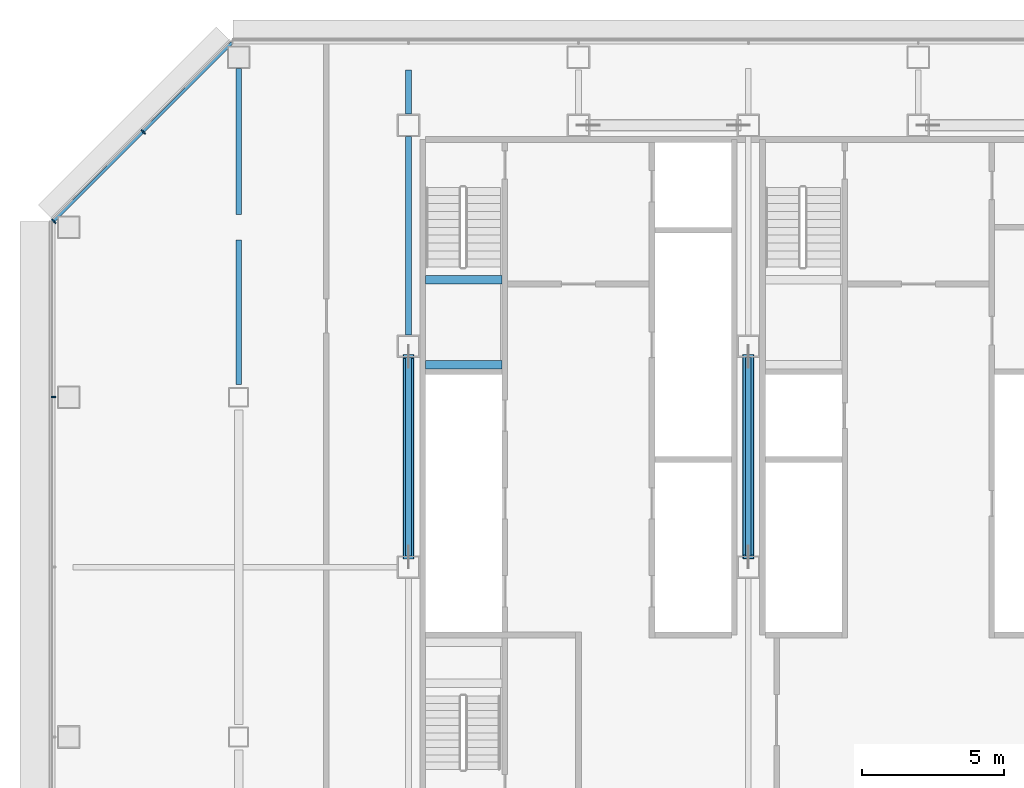
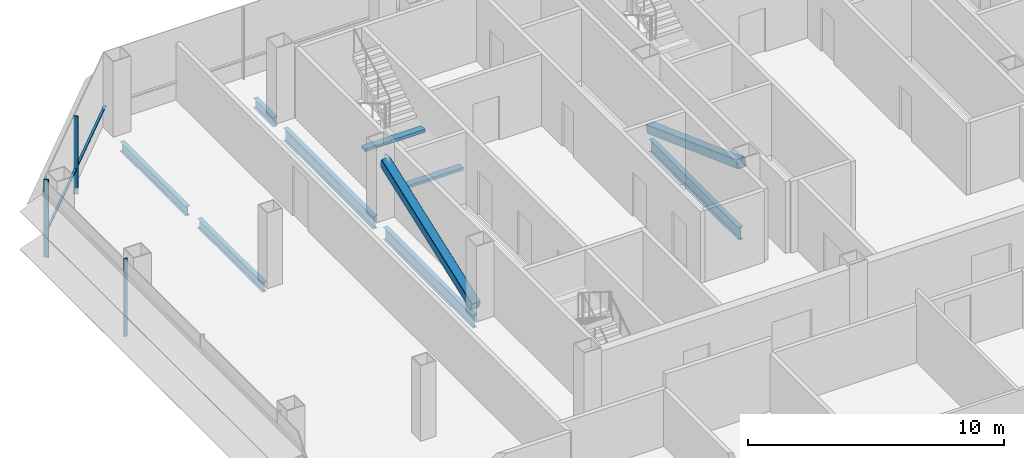
# One storey, part 10 of 28: 8 beams, 6 members, 2 elements without a shape of their own.
"""IFC4 building model written with IfcOpenShell, lengths in metres."""

from ifc_helpers import new_model, si_unit, direction, frame, origin, origin_2d, place, context, subcontext, project, spatial, rectangle, hollow_rectangle, i_section, extrude, material, material_profile, profile_set, type_object, element, aggregate, save


model = new_model("IFC4")

# Units and contexts
model_context = context("Model", 3, precision=1e-05, world=origin(), true_north=direction((0.0, 1.0)))
body_context = subcontext(model_context, "Body", "Model", "MODEL_VIEW")
ifc_project = project(units=[si_unit("LENGTHUNIT", "METRE"), si_unit("AREAUNIT", "SQUARE_METRE"), si_unit("VOLUMEUNIT", "CUBIC_METRE"), si_unit("PLANEANGLEUNIT", "RADIAN"), si_unit("MASSUNIT", "GRAM", prefix="KILO")], contexts=[model_context])

# Site, building, storey
site_placement = place(None, origin())
site = spatial("IfcSite", under=ifc_project, at=site_placement, CompositionType="ELEMENT")
building_placement = place(site_placement, origin())
building = spatial("IfcBuilding", under=site, at=building_placement, Name="Sorahane Residences", CompositionType="ELEMENT")
storey_placement = place(building_placement, frame((0.0, 0.0, 96.199951171875)))
storey = spatial("IfcBuildingStorey", under=building, at=storey_placement, Name="L20", CompositionType="ELEMENT", Elevation=96.199951171875)

# Members
ifc_material_1 = material(Name="Steel Q355B", Category="steel")
ifc_material_profile_1 = material_profile(ifc_material_1, hollow_rectangle(XDim=0.39990234375, YDim=0.39990234375, WallThickness=0.02001953125, InnerFilletRadius=0.010009765625, OuterFilletRadius=0.030029296875, at=origin_2d()), Name="RHS 400x400x20")
ifc_profile_set_1 = profile_set([ifc_material_profile_1], Name="Steel Q355B")
member_type_1 = type_object("IfcMemberType", Name="Core brace RHS 400x400x20 Q355B", PredefinedType="BRACE", material=ifc_profile_set_1)
for number, where, z_axis, x_axis, name in (
    (1, (6.0, 30.358642578125, 0.184814453125), (0.0, 0.938733651637, 0.344643484319), (-1.0, 0.0, 0.0), "Core brace L20 x6-2"),
    (2, (18.0, 37.44140625, 0.184814453125), (0.0, -0.938733651637, 0.344643484319), (1.0, 0.0, 0.0), "Core brace L20 x18-1"),
):
    element("IfcMember", number, at=place(storey_placement, frame(where, z_axis=z_axis, x_axis=x_axis)), inside=storey, type_object=member_type_1, Name=name, PredefinedType="BRACE", context=body_context, shape_type="SweptSolid", body=[
        extrude(hollow_rectangle(XDim=0.39990234375, YDim=0.39990234375, WallThickness=0.02001953125, InnerFilletRadius=0.010009765625, OuterFilletRadius=0.030029296875, at=origin_2d()), origin(), (0.0, 0.0, 1.0), 7.544921875),
    ])

# Curtain wall, member
ifc_material_2 = material(Name="Dark low-e glass and black anodised aluminium", Category="aluminium")
curtain_wall_type_1 = type_object("IfcCurtainWallType", Name="Curtain wall CW-1 Typical unitised wall", PredefinedType="NOTDEFINED", material=ifc_material_2)
curtain_wall_1_placement = place(storey_placement, origin())
curtain_wall_1 = element("IfcCurtainWall", 3, at=curtain_wall_1_placement, inside=storey, type_object=curtain_wall_type_1, Name="CW-1 curtain wall L20 W1", PredefinedType="NOTDEFINED")
ifc_material_3 = material(Name="Black anodised aluminium", Category="aluminium")
ifc_material_profile_2 = material_profile(ifc_material_3, rectangle(XDim=0.159912109375, YDim=0.050048828125, at=origin_2d()), Name="Curtain wall mullion CW-1 black anodised aluminium 50x160")
ifc_profile_set_2 = profile_set([ifc_material_profile_2], Name="Black anodised aluminium")
member_type_2 = type_object("IfcMemberType", Name="Curtain wall mullion CW-1 black anodised aluminium 50x160", PredefinedType="MULLION", material=ifc_profile_set_2)
member_1_placement = place(storey_placement, frame((-6.5400390625, 36.0, -0.300048828125), z_axis=(0.0, 0.0, 1.0), x_axis=(-1.0, 0.0, 0.0)))
member_1 = element("IfcMember", 4, at=member_1_placement, type_object=member_type_2, Name="CW-1 mullion L20 W1.2", PredefinedType="MULLION", context=body_context, shape_type="SweptSolid", body=[
    extrude(rectangle(XDim=0.159912109375, YDim=0.050048828125, at=origin_2d()), origin(), (0.0, 0.0, 1.0), 3.72021484375),
])
aggregate(curtain_wall_1, [member_1])

# Curtain wall, members
ifc_material_4 = material(Name="Dark low-e glass and black anodised aluminium", Category="aluminium")
curtain_wall_type_2 = type_object("IfcCurtainWallType", Name="Curtain wall CW-2 Chamfer unitised wall", PredefinedType="NOTDEFINED", material=ifc_material_4)
curtain_wall_2_placement = place(storey_placement, origin())
curtain_wall_2 = element("IfcCurtainWall", 5, at=curtain_wall_2_placement, inside=storey, type_object=curtain_wall_type_2, Name="CW-2 curtain wall L20 NW1", PredefinedType="NOTDEFINED")
ifc_material_5 = material(Name="Black anodised aluminium", Category="aluminium")
ifc_material_profile_3 = material_profile(ifc_material_5, rectangle(XDim=0.199951171875, YDim=0.050048828125, at=origin_2d()), Name="Curtain wall mullion CW-2 black anodised aluminium 50x200")
ifc_profile_set_3 = profile_set([ifc_material_profile_3], Name="Black anodised aluminium")
member_type_3 = type_object("IfcMemberType", Name="Curtain wall mullion CW-2 black anodised aluminium 50x200", PredefinedType="MULLION", material=ifc_profile_set_3)
member_2_placement = place(storey_placement, frame((-3.36767578125, 45.36767578125, -0.300048828125), z_axis=(0.0, 0.0, 1.0), x_axis=(-0.707106781187, 0.707106781187, 0.0)))
member_2 = element("IfcMember", 6, at=member_2_placement, type_object=member_type_3, Name="CW-2 mullion L20 NW1.2", PredefinedType="MULLION", context=body_context, shape_type="SweptSolid", body=[
    extrude(rectangle(XDim=0.199951171875, YDim=0.050048828125, at=origin_2d()), origin(), (0.0, 0.0, 1.0), 3.72021484375),
])
member_3_placement = place(storey_placement, frame((-6.525634765625, 42.209716796875, -0.300048828125), z_axis=(0.0, 0.0, 1.0), x_axis=(-0.707106781187, 0.707106781187, 0.0)))
member_3 = element("IfcMember", 7, at=member_3_placement, type_object=member_type_3, Name="CW-2 mullion L20 NW1.3", PredefinedType="MULLION", context=body_context, shape_type="SweptSolid", body=[
    extrude(rectangle(XDim=0.199951171875, YDim=0.050048828125, at=origin_2d()), origin(), (0.0, 0.0, 1.0), 3.72021484375),
])
ifc_material_6 = material(Name="Black anodised aluminium", Category="aluminium")
ifc_material_profile_4 = material_profile(ifc_material_6, rectangle(XDim=0.10009765625, YDim=0.06005859375, at=origin_2d()), Name="Curtain wall transom CW-2 black anodised aluminium 60x100")
ifc_profile_set_4 = profile_set([ifc_material_profile_4], Name="Black anodised aluminium")
member_type_4 = type_object("IfcMemberType", Name="Curtain wall transom CW-2 black anodised aluminium 60x100", PredefinedType="USERDEFINED", material=ifc_profile_set_4)
member_4_placement = place(storey_placement, frame((-0.234375, 48.51513671875, 0.900146484375), z_axis=(-0.707106781187, -0.707106781187, 0.0), x_axis=(0.707106781187, -0.707106781187, 0.0)))
member_4 = element("IfcMember", 8, at=member_4_placement, type_object=member_type_4, Name="CW-2 transom L20 NW1", ObjectType="TRANSOM", PredefinedType="USERDEFINED", context=body_context, shape_type="SweptSolid", body=[
    extrude(rectangle(XDim=0.10009765625, YDim=0.06005859375, at=origin_2d()), origin(), (0.0, 0.0, 1.0), 8.88232421875),
])
aggregate(curtain_wall_2, [member_2, member_3, member_4])

# Beams
ifc_material_7 = material(Name="Concrete C40", Category="concrete")
ifc_material_profile_5 = material_profile(ifc_material_7, rectangle(XDim=0.300048828125, YDim=0.139892578125, at=origin_2d()), Name="300x140")
ifc_profile_set_5 = profile_set([ifc_material_profile_5], Name="Concrete C40")
beam_type_1 = type_object("IfcBeamType", Name="RC landing beam 300 x 140 Concrete C40", PredefinedType="BEAM", material=ifc_profile_set_5)
for number, where, z_axis, x_axis, name in (
    (9, (6.60009765625, 37.14990234375, 1.530029296875), (1.0, 0.0, 0.0), (0.0, 1.0, 0.0), "Landing beam"),
    (10, (6.60009765625, 40.14990234375, 1.530029296875), (1.0, 0.0, 0.0), (0.0, 1.0, 0.0), "Landing beam"),
):
    element("IfcBeam", number, at=place(storey_placement, frame(where, z_axis=z_axis, x_axis=x_axis)), inside=storey, type_object=beam_type_1, Name=name, PredefinedType="BEAM", context=body_context, shape_type="SweptSolid", body=[
        extrude(rectangle(XDim=0.300048828125, YDim=0.139892578125, at=origin_2d()), origin(), (0.0, 0.0, 1.0), 2.699951171875),
    ])
ifc_material_8 = material(Name="Steel Q355B", Category="steel")
ifc_material_profile_6 = material_profile(ifc_material_8, i_section(OverallWidth=0.199951171875, OverallDepth=0.449951171875, WebThickness=0.009033203125, FlangeThickness=0.013916015625, FilletRadius=0.02001953125, at=origin_2d()), Name="HN 450x200x9x14")
ifc_profile_set_6 = profile_set([ifc_material_profile_6], Name="Steel Q355B")
beam_type_2 = type_object("IfcBeamType", Name="Steel floor beam HN 450x200x9x14 Q355B", PredefinedType="BEAM", material=ifc_profile_set_6)
beam_1_placement = place(storey_placement, frame((0.0, 36.449951171875, -0.52490234375), z_axis=(0.0, 1.0, 0.0), x_axis=(-1.0, 0.0, 0.0)))
element("IfcBeam", 11, at=beam_1_placement, inside=storey, type_object=beam_type_2, Name="Beam L20 005", PredefinedType="BEAM", context=body_context, shape_type="SweptSolid", body=[
    extrude(i_section(OverallWidth=0.199951171875, OverallDepth=0.449951171875, WebThickness=0.009033203125, FlangeThickness=0.013916015625, FilletRadius=0.02001953125, at=origin_2d()), origin(), (0.0, 0.0, 1.0), 5.10009765625),
])
beam_2_placement = place(storey_placement, frame((0.0, 42.449951171875, -0.52490234375), z_axis=(0.0, 1.0, 0.0), x_axis=(-1.0, 0.0, 0.0)))
element("IfcBeam", 12, at=beam_2_placement, inside=storey, type_object=beam_type_2, Name="Beam L20 006", PredefinedType="BEAM", context=body_context, shape_type="SweptSolid", body=[
    extrude(i_section(OverallWidth=0.199951171875, OverallDepth=0.449951171875, WebThickness=0.009033203125, FlangeThickness=0.013916015625, FilletRadius=0.02001953125, at=origin_2d()), origin(), (0.0, 0.0, 1.0), 5.150146484375),
])
beam_3_placement = place(storey_placement, frame((6.0, 46.0, -0.52490234375), z_axis=(0.0, 1.0, 0.0), x_axis=(-1.0, 0.0, 0.0)))
element("IfcBeam", 13, at=beam_3_placement, inside=storey, type_object=beam_type_2, Name="Beam L20 013", PredefinedType="BEAM", context=body_context, shape_type="SweptSolid", body=[
    extrude(i_section(OverallWidth=0.199951171875, OverallDepth=0.449951171875, WebThickness=0.009033203125, FlangeThickness=0.013916015625, FilletRadius=0.02001953125, at=origin_2d()), origin(), (0.0, 0.0, 1.0), 1.550048828125),
])
ifc_material_9 = material(Name="Steel Q355B", Category="steel")
ifc_material_profile_7 = material_profile(ifc_material_9, i_section(OverallWidth=0.199951171875, OverallDepth=0.60009765625, WebThickness=0.010986328125, FlangeThickness=0.01708984375, FilletRadius=0.02392578125, at=origin_2d()), Name="HN 600x200x11x17")
ifc_profile_set_7 = profile_set([ifc_material_profile_7], Name="Steel Q355B")
beam_type_3 = type_object("IfcBeamType", Name="Steel floor beam HN 600x200x11x17 Q355B", PredefinedType="BEAM", material=ifc_profile_set_7)
for number, where, z_axis, x_axis, name in (
    (14, (6.0, 30.39990234375, -0.599853515625), (0.0, 1.0, 0.0), (-1.0, 0.0, 0.0), "Beam L20 011"),
    (15, (6.0, 38.199951171875, -0.599853515625), (0.0, 1.0, 0.0), (-1.0, 0.0, 0.0), "Beam L20 012"),
    (16, (18.0, 30.39990234375, -0.599853515625), (0.0, 1.0, 0.0), (-1.0, 0.0, 0.0), "Beam L20 021"),
):
    element("IfcBeam", number, at=place(storey_placement, frame(where, z_axis=z_axis, x_axis=x_axis)), inside=storey, type_object=beam_type_3, Name=name, PredefinedType="BEAM", context=body_context, shape_type="SweptSolid", body=[
        extrude(i_section(OverallWidth=0.199951171875, OverallDepth=0.60009765625, WebThickness=0.010986328125, FlangeThickness=0.01708984375, FilletRadius=0.02392578125, at=origin_2d()), origin(), (0.0, 0.0, 1.0), 7.0),
    ])

save(model, "model.ifc")
